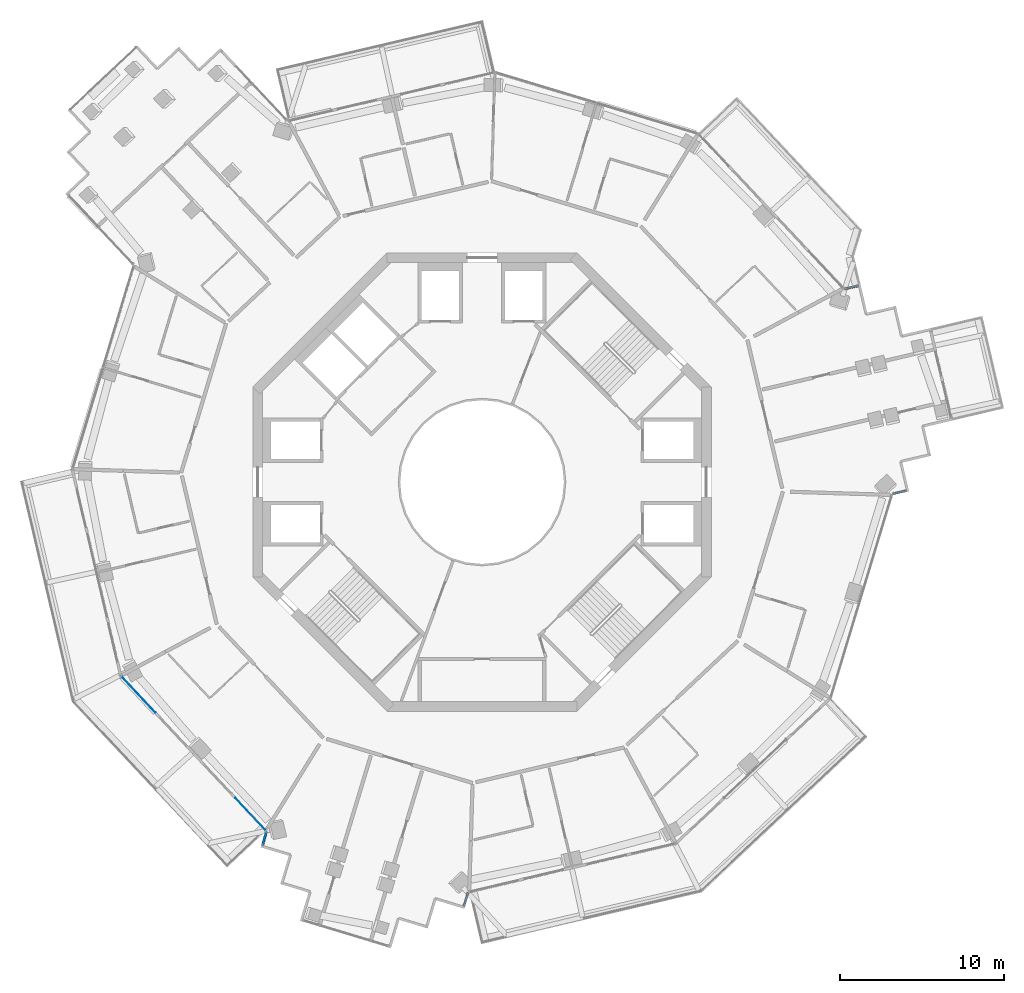
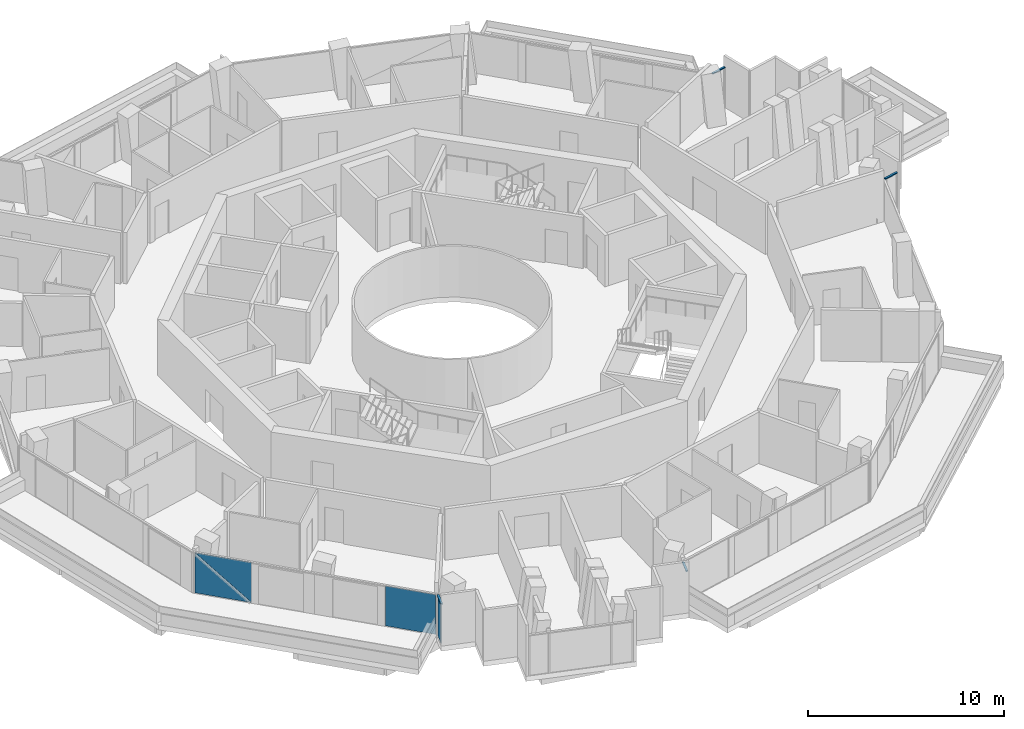
# One storey, part 11 of 24: 4 members, 4 plates, 5 elements without a shape of their own.
"""IFC4 building model written with IfcOpenShell, lengths in metres."""

from ifc_helpers import new_model, si_unit, direction, frame, origin, origin_2d, place, context, subcontext, project, spatial, polyline, rectangle, outline, extrude, material, layer, layer_set, material_profile, profile_set, type_object, element, aggregate, save


model = new_model("IFC4")

# Units and contexts
model_context = context("Model", 3, precision=1e-05, world=origin(), true_north=direction((0.0, 1.0)))
body_context = subcontext(model_context, "Body", "Model", "MODEL_VIEW")
ifc_project = project(units=[si_unit("LENGTHUNIT", "METRE"), si_unit("AREAUNIT", "SQUARE_METRE"), si_unit("VOLUMEUNIT", "CUBIC_METRE"), si_unit("PLANEANGLEUNIT", "RADIAN"), si_unit("MASSUNIT", "GRAM", prefix="KILO")], contexts=[model_context])

# Site, building, storey
site_placement = place(None, origin())
site = spatial("IfcSite", under=ifc_project, at=site_placement, CompositionType="ELEMENT")
building_placement = place(site_placement, origin())
building = spatial("IfcBuilding", under=site, at=building_placement, Name="Verdalira Terraces Hotel", CompositionType="ELEMENT")
storey_placement = place(building_placement, frame((0.0, 0.0, 209.0)))
storey = spatial("IfcBuildingStorey", under=building, at=storey_placement, Name="L51", CompositionType="ELEMENT", Elevation=209.0)

# Curtain wall, member
ifc_material_1 = material(Name="Clear glass", Category="glass")
ifc_layer_1 = layer(ifc_material_1, 0.14990234375)
ifc_layer_set_1 = layer_set([ifc_layer_1], Name="CW2 curtain wall")
curtain_wall_type_1 = type_object("IfcCurtainWallType", Name="CW2 curtain wall", PredefinedType="NOTDEFINED", material=ifc_layer_set_1)
curtain_wall_1_placement = place(storey_placement, origin())
curtain_wall_1 = element("IfcCurtainWall", 1, at=curtain_wall_1_placement, inside=storey, type_object=curtain_wall_type_1, Name="CW2 curtain wall L51 edge 14", PredefinedType="NOTDEFINED")
ifc_material_2 = material(Name="Terracotta frame", Category="masonry")
ifc_material_profile = material_profile(ifc_material_2, rectangle(XDim=0.11499, YDim=0.064941, at=origin_2d()), Name="TR 65x115")
ifc_profile_set = profile_set([ifc_material_profile], Name="Terracotta frame")
member_type = type_object("IfcMemberType", Name="CW2 transom 65x115", PredefinedType="USERDEFINED", material=ifc_profile_set)
member_1_placement = place(storey_placement, frame((-13.162109, -21.365967, 2.507568), z_axis=(-0.28921814, -0.957263218, 0.0), x_axis=(0.957263218, -0.28921814, 0.0)))
member_1 = element("IfcMember", 2, at=member_1_placement, type_object=member_type, Name="CW2 transom", ObjectType="TRANSOM", PredefinedType="USERDEFINED", context=body_context, shape_type="SweptSolid", body=[
    extrude(rectangle(XDim=0.11499, YDim=0.064941, at=origin_2d()), origin(), (0.0, 0.0, 1.0), 0.850098),
])

curtain_wall_2_placement = place(storey_placement, origin())
curtain_wall_2 = element("IfcCurtainWall", 3, at=curtain_wall_2_placement, inside=storey, type_object=curtain_wall_type_1, Name="CW2 curtain wall L51 edge 24", PredefinedType="NOTDEFINED")
member_2_placement = place(storey_placement, frame((-1.106445, -25.893799, 2.507568), z_axis=(0.28921814, 0.957263218, 0.0), x_axis=(-0.957263218, 0.28921814, 0.0)))
member_2 = element("IfcMember", 4, at=member_2_placement, type_object=member_type, Name="CW2 transom", ObjectType="TRANSOM", PredefinedType="USERDEFINED", context=body_context, shape_type="SweptSolid", body=[
    extrude(rectangle(XDim=0.11499, YDim=0.064941, at=origin_2d()), origin(), (0.0, 0.0, 1.0), 0.850098),
])
aggregate(curtain_wall_2, [member_2])

curtain_wall_3_placement = place(storey_placement, origin())
curtain_wall_3 = element("IfcCurtainWall", 5, at=curtain_wall_3_placement, inside=storey, type_object=curtain_wall_type_1, Name="CW2 curtain wall L51 edge 28", PredefinedType="NOTDEFINED")
member_3_placement = place(storey_placement, frame((25.084473, -0.71582, 2.507568), z_axis=(0.973586393, 0.228318933, 0.0), x_axis=(-0.228318933, 0.973586393, 0.0)))
member_3 = element("IfcMember", 6, at=member_3_placement, type_object=member_type, Name="CW2 transom", ObjectType="TRANSOM", PredefinedType="USERDEFINED", context=body_context, shape_type="SweptSolid", body=[
    extrude(rectangle(XDim=0.11499, YDim=0.064941, at=origin_2d()), origin(), (0.0, 0.0, 1.0), 0.850098),
])
aggregate(curtain_wall_3, [member_3])

curtain_wall_4_placement = place(storey_placement, origin())
curtain_wall_4 = element("IfcCurtainWall", 7, at=curtain_wall_4_placement, inside=storey, type_object=curtain_wall_type_1, Name="CW2 curtain wall L51 edge 38", PredefinedType="NOTDEFINED")
member_4_placement = place(storey_placement, frame((22.977783, 11.98877, 2.507568), z_axis=(-0.973586393, -0.228318933, 0.0), x_axis=(0.228318933, -0.973586393, 0.0)))
member_4 = element("IfcMember", 8, at=member_4_placement, type_object=member_type, Name="CW2 transom", ObjectType="TRANSOM", PredefinedType="USERDEFINED", context=body_context, shape_type="SweptSolid", body=[
    extrude(rectangle(XDim=0.11499, YDim=0.064941, at=origin_2d()), origin(), (0.0, 0.0, 1.0), 0.850098),
])
aggregate(curtain_wall_4, [member_4])

# Curtain wall, plates
ifc_material_3 = material(Name="Clear glass", Category="glass")
ifc_layer_2 = layer(ifc_material_3, 0.14990234375)
ifc_layer_set_2 = layer_set([ifc_layer_2], Name="CW1 curtain wall")
curtain_wall_type_2 = type_object("IfcCurtainWallType", Name="CW1 curtain wall", PredefinedType="NOTDEFINED", material=ifc_layer_set_2)
curtain_wall_5_placement = place(storey_placement, origin())
curtain_wall_5 = element("IfcCurtainWall", 9, at=curtain_wall_5_placement, inside=storey, type_object=curtain_wall_type_2, Name="CW1 curtain wall L51 edge 13", PredefinedType="NOTDEFINED")
ifc_material_4 = material(Name="Clear glass", Category="glass")
ifc_layer_3 = layer(ifc_material_4, 0.028076171875)
ifc_layer_set_3 = layer_set([ifc_layer_3], Name="CW1 glass unit 28")
plate_type_1 = type_object("IfcPlateType", Name="CW1 glass unit 28", PredefinedType="CURTAIN_PANEL", material=ifc_layer_set_3)
plate_1_placement = place(storey_placement, frame((-20.9729, -12.973145, 1.237549), z_axis=(-0.728968627, -0.684547106, 0.0), x_axis=(0.684547106, -0.728968627, 0.0)))
plate_1 = element("IfcPlate", 10, at=plate_1_placement, type_object=plate_type_1, Name="CW1 glass unit", PredefinedType="CURTAIN_PANEL", context=body_context, shape_type="SweptSolid", body=[
    extrude(outline(polyline([(-1.5, -1.237549), (1.5, -1.237549), (-1.5, 1.237549), (-1.5, -1.237549)])), origin(), (0.0, 0.0, 1.0), 0.028076),
])
plate_2_placement = place(storey_placement, frame((-20.95166, -12.953125, 1.237549), z_axis=(-0.728968627, -0.684547106, 0.0), x_axis=(0.684547106, -0.728968627, 0.0)))
plate_2 = element("IfcPlate", 11, at=plate_2_placement, type_object=plate_type_1, Name="CW1 glass unit", PredefinedType="CURTAIN_PANEL", context=body_context, shape_type="SweptSolid", body=[
    extrude(outline(polyline([(1.5, -1.237549), (1.5, 1.237549), (-1.5, 1.237549), (1.5, -1.237549)])), origin(), (0.0, 0.0, 1.0), 0.028076),
])
plate_3_placement = place(storey_placement, frame((-14.137207, -20.272949, 0.0), z_axis=(0.0, 0.0, 1.0), x_axis=(0.684547106, -0.728968627, 0.0)))
plate_3 = element("IfcPlate", 12, at=plate_3_placement, type_object=plate_type_1, Name="CW1 glass unit", PredefinedType="CURTAIN_PANEL", context=body_context, shape_type="SweptSolid", body=[
    extrude(rectangle(XDim=2.678711, YDim=0.028076, at=origin_2d()), origin(), (0.0, 0.0, 1.0), 2.475098),
])
aggregate(curtain_wall_5, [plate_1, plate_2, plate_3])

# Plate
ifc_material_5 = material(Name="Clear glass", Category="glass")
ifc_layer_4 = layer(ifc_material_5, 0.031982421875)
ifc_layer_set_4 = layer_set([ifc_layer_4], Name="CW2 glass unit 32")
plate_type_2 = type_object("IfcPlateType", Name="CW2 glass unit 32", PredefinedType="CURTAIN_PANEL", material=ifc_layer_set_4)
plate_4_placement = place(storey_placement, frame((-13.285156, -21.772705, 0.0), z_axis=(0.0, 0.0, 1.0), x_axis=(-0.289031797, -0.957319498, 0.0)))
plate_4 = element("IfcPlate", 13, at=plate_4_placement, type_object=plate_type_2, Name="CW2 glass unit", PredefinedType="CURTAIN_PANEL", context=body_context, shape_type="SweptSolid", body=[
    extrude(rectangle(XDim=0.709961, YDim=0.031982, at=origin_2d()), origin(), (0.0, 0.0, 1.0), 2.475098),
])

aggregate(curtain_wall_1, [member_1, plate_4])

save(model, "model.ifc")
